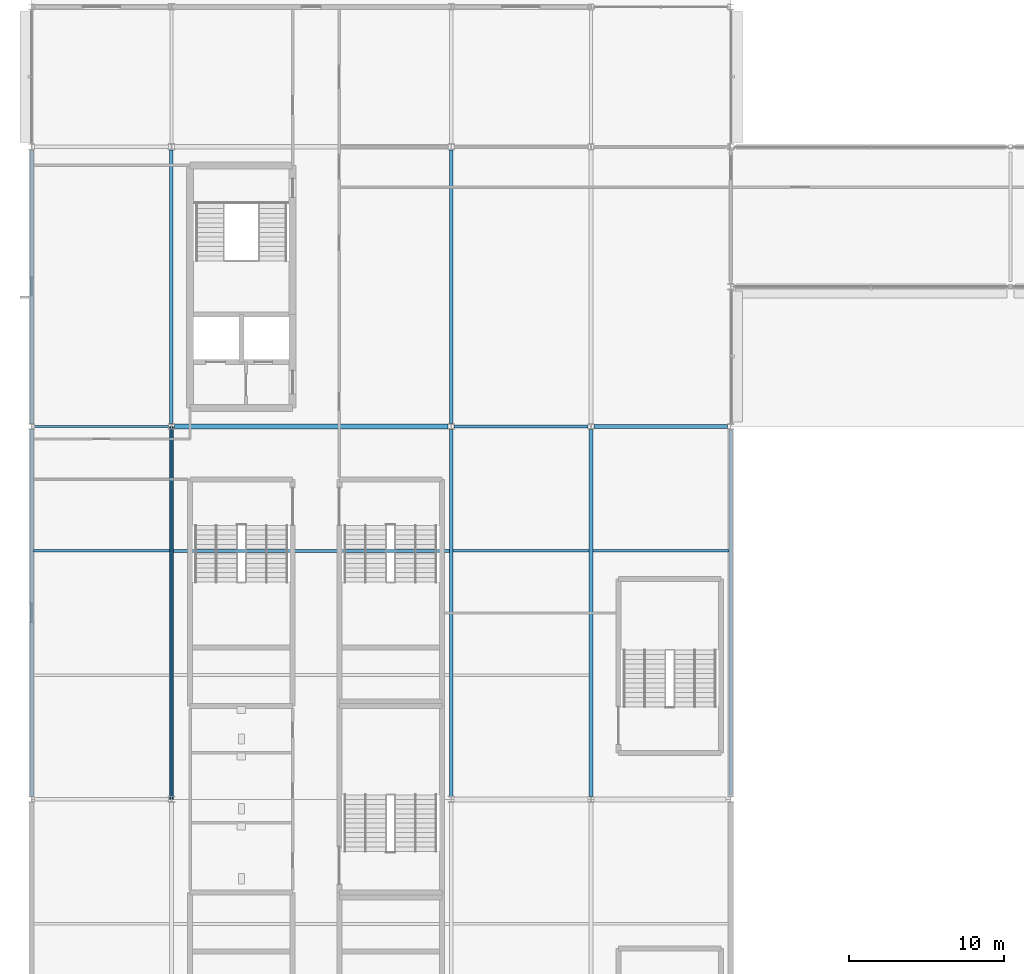
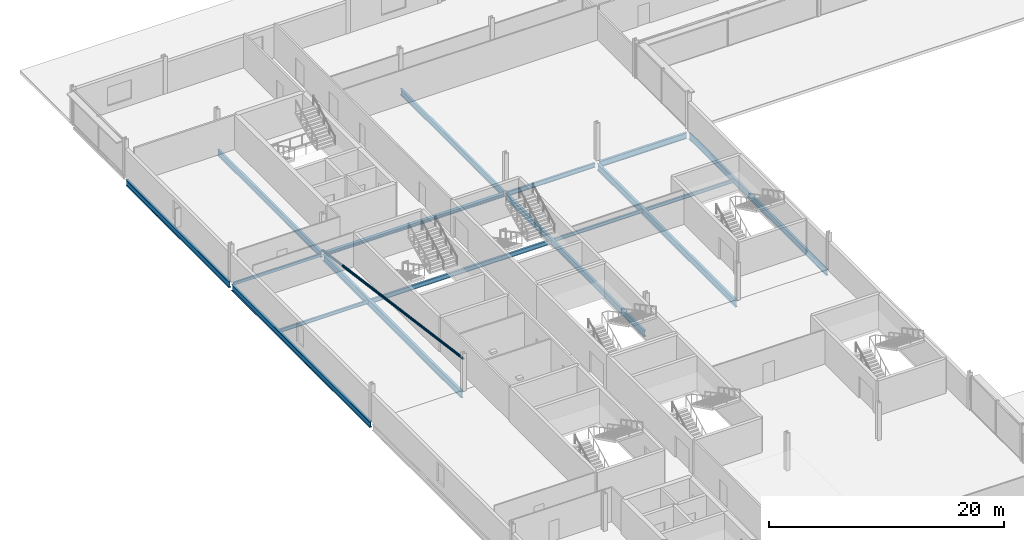
# One storey, part 29 of 105: 16 beams, 1 member.
"""IFC4 building model written with IfcOpenShell, lengths in metres."""

from ifc_helpers import new_model, si_unit, direction, frame, origin, origin_2d, place, context, subcontext, project, spatial, hollow_rectangle, hollow_circle, i_section, extrude, material, material_profile, profile_set, type_object, element, save


model = new_model("IFC4")

# Units and contexts
model_context = context("Model", 3, precision=1e-05, world=origin(), true_north=direction((0.0, 1.0)))
body_context = subcontext(model_context, "Body", "Model", "MODEL_VIEW")
ifc_project = project(units=[si_unit("LENGTHUNIT", "METRE"), si_unit("AREAUNIT", "SQUARE_METRE"), si_unit("VOLUMEUNIT", "CUBIC_METRE"), si_unit("PLANEANGLEUNIT", "RADIAN"), si_unit("MASSUNIT", "GRAM", prefix="KILO")], contexts=[model_context])

# Site, building, storey
site_placement = place(None, origin())
site = spatial("IfcSite", under=ifc_project, at=site_placement, CompositionType="ELEMENT")
building_placement = place(site_placement, origin())
building = spatial("IfcBuilding", under=site, at=building_placement, Name="Kisiwana Market Hall", CompositionType="ELEMENT")
storey_placement = place(building_placement, frame((0.0, 0.0, 21.60009765625)))
storey = spatial("IfcBuildingStorey", under=building, at=storey_placement, Name="L04", CompositionType="ELEMENT", Elevation=21.60009765625)

# Beams
ifc_material_1 = material(Name="Steel S355", Category="steel")
ifc_material_profile_1 = material_profile(ifc_material_1, i_section(OverallWidth=0.230224609375, OverallDepth=0.6171875, WebThickness=0.01318359375, FlangeThickness=0.022216796875, FilletRadius=0.0126953125, at=origin_2d()), Name="UB 610x229x140")
ifc_profile_set_1 = profile_set([ifc_material_profile_1], Name="Steel S355")
beam_type_1 = type_object("IfcBeamType", Name="BM-GIRD-UB140", PredefinedType="BEAM", material=ifc_profile_set_1)
beam_1_placement = place(storey_placement, frame((36.198974609375, 84.0, -0.5537109375), z_axis=(1.0, 0.0, 0.0), x_axis=(0.0, 1.0, 0.0)))
element("IfcBeam", 1, at=beam_1_placement, inside=storey, type_object=beam_type_1, Name="Floor beam B-1456", PredefinedType="BEAM", context=body_context, shape_type="SweptSolid", body=[
    extrude(i_section(OverallWidth=0.230224609375, OverallDepth=0.6171875, WebThickness=0.01318359375, FlangeThickness=0.022216796875, FilletRadius=0.0126953125, at=origin_2d()), origin(), (0.0, 0.0, 1.0), 8.59912109375),
])
ifc_material_2 = material(Name="Steel S355", Category="steel")
ifc_material_profile_2 = material_profile(ifc_material_2, i_section(OverallWidth=0.19140625, OverallDepth=0.4599609375, WebThickness=0.010009765625, FlangeThickness=0.01611328125, at=origin_2d()), Name="UB 457x191x82")
ifc_profile_set_2 = profile_set([ifc_material_profile_2], Name="Steel S355")
beam_type_2 = type_object("IfcBeamType", Name="BM-GIRD-UB457H", PredefinedType="BEAM", material=ifc_profile_set_2)
beam_2_placement = place(storey_placement, frame((27.198974609375, 84.0, -0.47509765625), z_axis=(1.0, 0.0, 0.0), x_axis=(0.0, 1.0, 0.0)))
element("IfcBeam", 2, at=beam_2_placement, inside=storey, type_object=beam_type_2, Name="Floor beam B-1455", PredefinedType="BEAM", context=body_context, shape_type="SweptSolid", body=[
    extrude(i_section(OverallWidth=0.19140625, OverallDepth=0.4599609375, WebThickness=0.010009765625, FlangeThickness=0.01611328125, at=origin_2d()), origin(), (0.0, 0.0, 1.0), 8.60205078125),
])
ifc_material_3 = material(Name="Steel S355", Category="steel")
ifc_material_profile_3 = material_profile(ifc_material_3, i_section(OverallWidth=0.22900390625, OverallDepth=0.6123046875, WebThickness=0.011962890625, FlangeThickness=0.01953125, at=origin_2d()), Name="UB 610x229x125")
ifc_profile_set_3 = profile_set([ifc_material_profile_3], Name="Steel S355")
beam_type_3 = type_object("IfcBeamType", Name="BM-GIRD-UB610H", PredefinedType="BEAM", material=ifc_profile_set_3)
beam_3_placement = place(storey_placement, frame((0.0, 60.2041015625, -0.55126953125), z_axis=(0.0, 1.0, 0.0), x_axis=(-1.0, 0.0, 0.0)))
element("IfcBeam", 3, at=beam_3_placement, inside=storey, type_object=beam_type_3, Name="Floor beam B-1492", PredefinedType="BEAM", context=body_context, shape_type="SweptSolid", body=[
    extrude(i_section(OverallWidth=0.22900390625, OverallDepth=0.6123046875, WebThickness=0.011962890625, FlangeThickness=0.01953125, at=origin_2d()), origin(), (0.0, 0.0, 1.0), 23.591796875),
])
beam_4_placement = place(storey_placement, frame((0.0, 84.2041015625, -0.55126953125), z_axis=(0.0, 1.0, 0.0), x_axis=(-1.0, 0.0, 0.0)))
element("IfcBeam", 4, at=beam_4_placement, inside=storey, type_object=beam_type_3, Name="Floor beam B-1493", PredefinedType="BEAM", context=body_context, shape_type="SweptSolid", body=[
    extrude(i_section(OverallWidth=0.22900390625, OverallDepth=0.6123046875, WebThickness=0.011962890625, FlangeThickness=0.01953125, at=origin_2d()), origin(), (0.0, 0.0, 1.0), 17.591796875),
])
beam_5_placement = place(storey_placement, frame((27.0, 60.2041015625, -0.55126953125), z_axis=(0.0, 1.0, 0.0), x_axis=(-1.0, 0.0, 0.0)))
element("IfcBeam", 5, at=beam_5_placement, inside=storey, type_object=beam_type_3, Name="Floor beam B-1496", PredefinedType="BEAM", context=body_context, shape_type="SweptSolid", body=[
    extrude(i_section(OverallWidth=0.22900390625, OverallDepth=0.6123046875, WebThickness=0.011962890625, FlangeThickness=0.01953125, at=origin_2d()), origin(), (0.0, 0.0, 1.0), 23.591796875),
])
beam_6_placement = place(storey_placement, frame((45.0, 60.321044921875, -0.55126953125), z_axis=(0.0, 1.0, 0.0), x_axis=(-1.0, 0.0, 0.0)))
element("IfcBeam", 6, at=beam_6_placement, inside=storey, type_object=beam_type_3, Name="Floor beam B-1500", PredefinedType="BEAM", context=body_context, shape_type="SweptSolid", body=[
    extrude(i_section(OverallWidth=0.22900390625, OverallDepth=0.6123046875, WebThickness=0.011962890625, FlangeThickness=0.01953125, at=origin_2d()), origin(), (0.0, 0.0, 1.0), 23.465576171875),
])
for number, where, z_axis, x_axis, name in (
    (7, (9.0, 84.2041015625, -0.55126953125), (0.0, 1.0, 0.0), (-1.0, 0.0, 0.0), "Primary girder B-1345"),
    (8, (27.0, 84.2041015625, -0.55126953125), (0.0, 1.0, 0.0), (-1.0, 0.0, 0.0), "Primary girder B-1349"),
):
    element("IfcBeam", number, at=place(storey_placement, frame(where, z_axis=z_axis, x_axis=x_axis)), inside=storey, type_object=beam_type_3, Name=name, PredefinedType="BEAM", context=body_context, shape_type="SweptSolid", body=[
        extrude(i_section(OverallWidth=0.22900390625, OverallDepth=0.6123046875, WebThickness=0.011962890625, FlangeThickness=0.01953125, at=origin_2d()), origin(), (0.0, 0.0, 1.0), 17.591796875),
    ])
ifc_material_4 = material(Name="Steel S355", Category="steel")
ifc_material_profile_4 = material_profile(ifc_material_4, i_section(OverallWidth=0.253662109375, OverallDepth=0.68359375, WebThickness=0.012451171875, FlangeThickness=0.01904296875, at=origin_2d()), Name="UB 686x254x140")
ifc_profile_set_4 = profile_set([ifc_material_profile_4], Name="Steel S355")
beam_type_4 = type_object("IfcBeamType", Name="BM-GIRD-UB686", PredefinedType="BEAM", material=ifc_profile_set_4)
for number, where, z_axis, x_axis, name in (
    (9, (9.0, 60.2041015625, -0.5869140625), (0.0, 1.0, 0.0), (-1.0, 0.0, 0.0), "Primary girder B-1344"),
    (10, (36.0, 60.2041015625, -0.5869140625), (0.0, 1.0, 0.0), (-1.0, 0.0, 0.0), "Primary girder B-1354"),
):
    element("IfcBeam", number, at=place(storey_placement, frame(where, z_axis=z_axis, x_axis=x_axis)), inside=storey, type_object=beam_type_4, Name=name, PredefinedType="BEAM", context=body_context, shape_type="SweptSolid", body=[
        extrude(i_section(OverallWidth=0.253662109375, OverallDepth=0.68359375, WebThickness=0.012451171875, FlangeThickness=0.01904296875, at=origin_2d()), origin(), (0.0, 0.0, 1.0), 23.591796875),
    ])
ifc_material_5 = material(Name="Steel S355", Category="steel")
ifc_material_profile_5 = material_profile(ifc_material_5, i_section(OverallWidth=0.17138671875, OverallDepth=0.35498046875, WebThickness=0.00732421875, FlangeThickness=0.011474609375, at=origin_2d()), Name="UB 356x171x51")
ifc_profile_set_5 = profile_set([ifc_material_profile_5], Name="Steel S355")
beam_type_5 = type_object("IfcBeamType", Name="BM-JOIST-UB356", PredefinedType="JOIST", material=ifc_profile_set_5)
for number, where, z_axis, x_axis, name in (
    (11, (0.113525390625, 76.0, -0.422607421875), (1.0, 0.0, 0.0), (0.0, 1.0, 0.0), "Secondary floor joist B-1407"),
    (12, (27.113525390625, 76.0, -0.422607421875), (1.0, 0.0, 0.0), (0.0, 1.0, 0.0), "Secondary floor joist B-1409"),
    (13, (36.125732421875, 76.0, -0.422607421875), (1.0, 0.0, 0.0), (0.0, 1.0, 0.0), "Secondary floor joist B-1410"),
):
    element("IfcBeam", number, at=place(storey_placement, frame(where, z_axis=z_axis, x_axis=x_axis)), inside=storey, type_object=beam_type_5, Name=name, PredefinedType="JOIST", context=body_context, shape_type="SweptSolid", body=[
        extrude(i_section(OverallWidth=0.17138671875, OverallDepth=0.35498046875, WebThickness=0.00732421875, FlangeThickness=0.011474609375, at=origin_2d()), origin(), (0.0, 0.0, 1.0), 8.7607421875),
    ])
ifc_material_6 = material(Name="Steel S355", Category="steel")
ifc_material_profile_6 = material_profile(ifc_material_6, i_section(OverallWidth=0.18994140625, OverallDepth=0.453369140625, WebThickness=0.008544921875, FlangeThickness=0.0126953125, at=origin_2d()), Name="UB 457x191x67")
ifc_profile_set_6 = profile_set([ifc_material_profile_6], Name="Steel S355")
beam_type_6 = type_object("IfcBeamType", Name="BM-JOIST-UB457", PredefinedType="JOIST", material=ifc_profile_set_6)
beam_7_placement = place(storey_placement, frame((9.125732421875, 76.0, -0.4716796875), z_axis=(1.0, 0.0, 0.0), x_axis=(0.0, 1.0, 0.0)))
element("IfcBeam", 14, at=beam_7_placement, inside=storey, type_object=beam_type_6, Name="Secondary floor joist B-1408", PredefinedType="JOIST", context=body_context, shape_type="SweptSolid", body=[
    extrude(i_section(OverallWidth=0.18994140625, OverallDepth=0.453369140625, WebThickness=0.008544921875, FlangeThickness=0.0126953125, at=origin_2d()), origin(), (0.0, 0.0, 1.0), 17.7607421875),
])
ifc_material_7 = material(Name="Steel S355", Category="steel")
ifc_material_profile_7 = material_profile(ifc_material_7, i_section(OverallWidth=0.314453125, OverallDepth=0.33984375, WebThickness=0.01904296875, FlangeThickness=0.031494140625, at=origin_2d()), Name="UC 305x305x198")
ifc_profile_set_7 = profile_set([ifc_material_profile_7], Name="Steel S355")
beam_type_7 = type_object("IfcBeamType", Name="BM-SKYBR-CHORD", PredefinedType="BEAM", material=ifc_profile_set_7)
beam_8_placement = place(storey_placement, frame((9.198974609375, 84.0, -0.4150390625), z_axis=(1.0, 0.0, 0.0), x_axis=(0.0, 1.0, 0.0)))
element("IfcBeam", 15, at=beam_8_placement, inside=storey, type_object=beam_type_7, Name="Floor beam B-1454", PredefinedType="BEAM", context=body_context, shape_type="SweptSolid", body=[
    extrude(i_section(OverallWidth=0.314453125, OverallDepth=0.33984375, WebThickness=0.01904296875, FlangeThickness=0.031494140625, at=origin_2d()), origin(), (0.0, 0.0, 1.0), 17.60205078125),
])
ifc_material_8 = material(Name="Steel S355", Category="steel")
ifc_material_profile_8 = material_profile(ifc_material_8, hollow_rectangle(XDim=0.14990234375, YDim=0.300048828125, WallThickness=0.010009765625, at=origin_2d()), Name="RHS 300x150x10")
ifc_profile_set_8 = profile_set([ifc_material_profile_8], Name="Steel S355")
beam_type_8 = type_object("IfcBeamType", Name="BM-SPAN-RHS300", PredefinedType="SPANDREL", material=ifc_profile_set_8)
beam_9_placement = place(storey_placement, frame((0.198974609375, 84.0, -0.39501953125), z_axis=(1.0, 0.0, 0.0), x_axis=(0.0, 1.0, 0.0)))
element("IfcBeam", 16, at=beam_9_placement, inside=storey, type_object=beam_type_8, Name="Floor beam B-1453", PredefinedType="SPANDREL", context=body_context, shape_type="SweptSolid", body=[
    extrude(hollow_rectangle(XDim=0.14990234375, YDim=0.300048828125, WallThickness=0.010009765625, at=origin_2d()), origin(), (0.0, 0.0, 1.0), 8.60205078125),
])

# Member
ifc_material_9 = material(Name="Steel S355", Category="steel")
ifc_material_profile_9 = material_profile(ifc_material_9, hollow_circle(Radius=0.122314453125, WallThickness=0.012451171875, at=origin_2d()), Name="CHS 244.5x12.5")
ifc_profile_set_9 = profile_set([ifc_material_profile_9], Name="Steel S355")
member_type = type_object("IfcMemberType", Name="MB-CBF-CHS244", PredefinedType="BRACE", material=ifc_profile_set_9)
member_placement = place(storey_placement, frame((9.0, 84.0, 0.0), z_axis=(0.0, -0.990762704668, 0.13560701692), x_axis=(1.0, 0.0, 0.0)))
element("IfcMember", 17, at=member_placement, inside=storey, type_object=member_type, Name="CBF-W-S diagonal brace (L04) M-0027", PredefinedType="BRACE", context=body_context, shape_type="SweptSolid", body=[
    extrude(hollow_circle(Radius=0.122314453125, WallThickness=0.012451171875, at=origin_2d()), origin(), (0.0, 0.0, 1.0), 24.223876953125),
])

save(model, "model.ifc")
